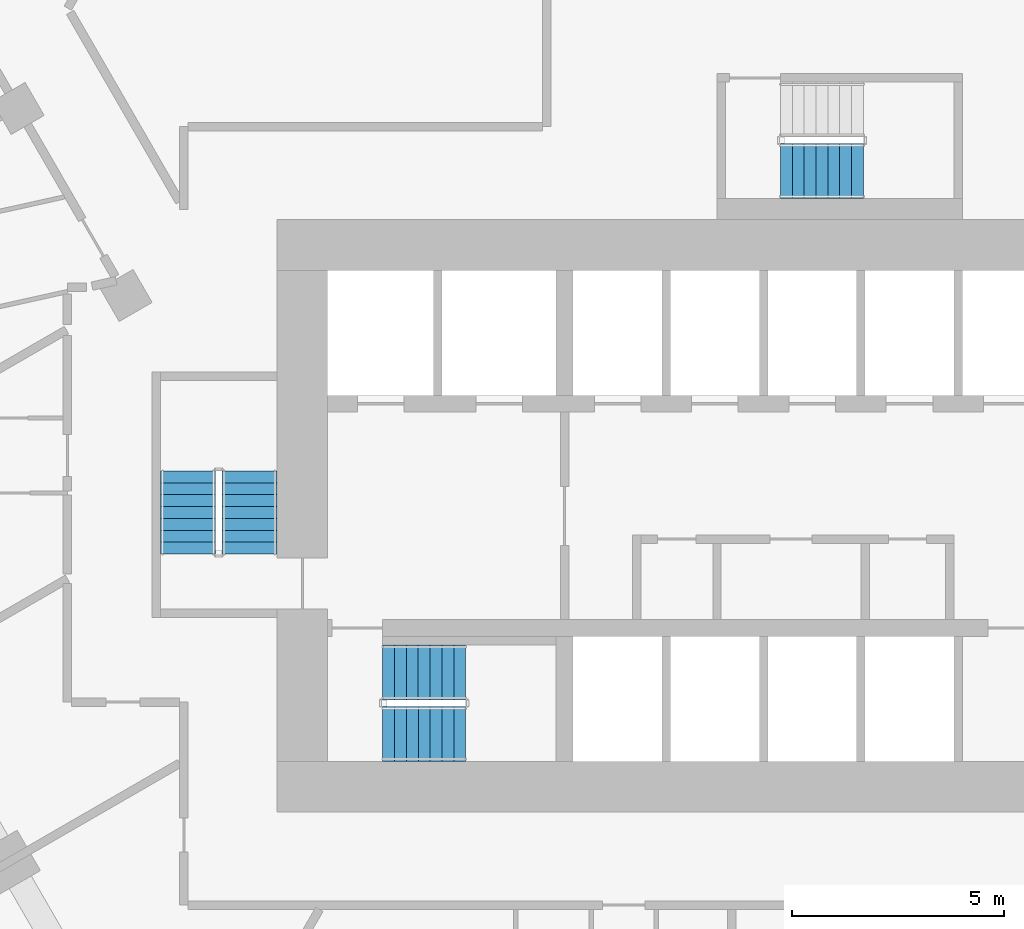
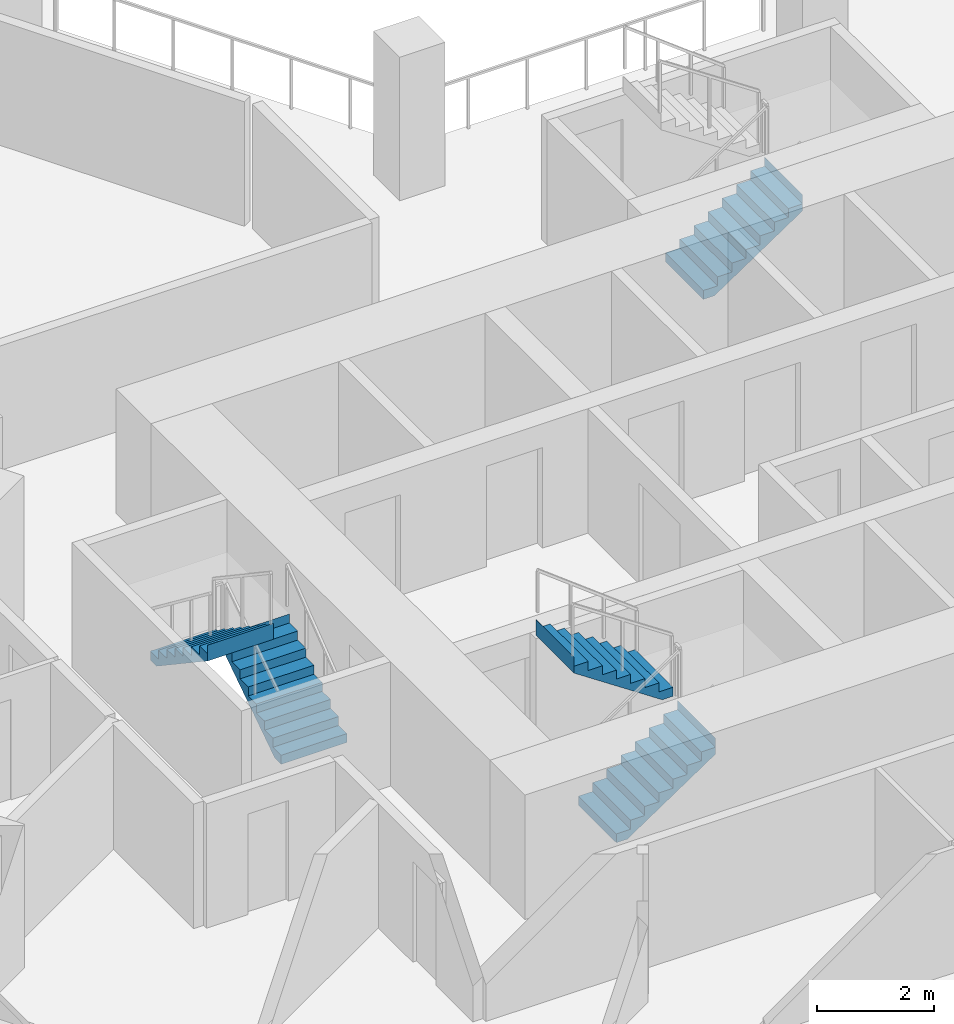
# One storey, part 16 of 21: 5 stair flights, 3 elements without a shape of their own.
"""IFC4 building model written with IfcOpenShell, lengths in metres."""

from ifc_helpers import new_model, si_unit, direction, frame, origin, place, context, subcontext, project, spatial, triangles, material, type_object, element, aggregate, save


model = new_model("IFC4")

# Units and contexts
model_context = context("Model", 3, precision=1e-05, world=origin(), true_north=direction((0.0, 1.0)))
body_context = subcontext(model_context, "Body", "Model", "MODEL_VIEW")
ifc_project = project(units=[si_unit("LENGTHUNIT", "METRE"), si_unit("AREAUNIT", "SQUARE_METRE"), si_unit("VOLUMEUNIT", "CUBIC_METRE"), si_unit("PLANEANGLEUNIT", "RADIAN"), si_unit("MASSUNIT", "GRAM", prefix="KILO")], contexts=[model_context])

# Site, building, storey
site_placement = place(None, origin())
site = spatial("IfcSite", under=ifc_project, at=site_placement, CompositionType="ELEMENT")
building_placement = place(site_placement, origin())
building = spatial("IfcBuilding", under=site, at=building_placement, Name="Beryl Residences", CompositionType="ELEMENT")
storey_placement = place(building_placement, frame((0.0, 0.0, 59.39990234375)))
storey = spatial("IfcBuildingStorey", under=building, at=storey_placement, Name="L18", CompositionType="ELEMENT", Elevation=59.39990234375)

# Stair, stair flights
ifc_material_1 = material(Name="Concrete C40/50", Category="concrete")
stair_type = type_object("IfcStairType", Name="ST1 protected exit stair, half-turn, 1300 mm flights", PredefinedType="HALF_TURN_STAIR", material=ifc_material_1)
stair_1_placement = place(storey_placement, origin())
stair_1 = element("IfcStair", 1, at=stair_1_placement, inside=storey, type_object=stair_type, Name="L18 PROTECTED EXIT STAIR ST-1", PredefinedType="HALF_TURN_STAIR")
ifc_material_2 = material(Name="Concrete C40/50", Category="concrete")
stair_flight_type = type_object("IfcStairFlightType", Name="SF1 stair flight 1300 mm", PredefinedType="STRAIGHT", material=ifc_material_2)
stair_flight_1_placement = place(storey_placement, frame((-10.800048828125, -17.14990234375, 0.0), z_axis=(0.0, 0.0, 1.0), x_axis=(1.0, 0.0, 0.0)))
stair_flight_1 = element("IfcStairFlight", 2, at=stair_flight_1_placement, type_object=stair_flight_type, Name="ST-1 flight 1", NumberOfRisers=8, NumberOfTreads=7, PredefinedType="STRAIGHT", RiserHeight=0.1875, TreadLength=0.28, context=body_context, shape_type="Tessellation", body=[
    triangles([(0.0, -0.64990234375, 0.0), (0.0, -0.324951171875, 0.0), (0.0, 0.0, 0.0), (0.0, 0.324951171875, 0.0), (0.0, 0.64990234375, 0.0), (0.0, -0.64990234375, 0.1875), (0.0, -0.324951171875, 0.1875), (0.0, 0.0, 0.1875), (0.0, 0.324951171875, 0.1875), (0.0, 0.64990234375, 0.1875), (0.280029296875, -0.64990234375, 0.1875), (0.280029296875, -0.324951171875, 0.1875), (0.280029296875, 0.0, 0.1875), (0.280029296875, 0.324951171875, 0.1875), (0.280029296875, 0.64990234375, 0.1875), (0.280029296875, -0.64990234375, 0.375), (0.280029296875, -0.324951171875, 0.375), (0.280029296875, 0.0, 0.375), (0.280029296875, 0.324951171875, 0.375), (0.280029296875, 0.64990234375, 0.375), (0.56005859375, -0.64990234375, 0.375), (0.56005859375, -0.324951171875, 0.375), (0.56005859375, 0.0, 0.375), (0.56005859375, 0.324951171875, 0.375), (0.56005859375, 0.64990234375, 0.375), (0.56005859375, -0.64990234375, 0.5625), (0.56005859375, -0.324951171875, 0.5625), (0.56005859375, 0.0, 0.5625), (0.56005859375, 0.324951171875, 0.5625), (0.56005859375, 0.64990234375, 0.5625), (0.840087890625, -0.64990234375, 0.5625), (0.840087890625, -0.324951171875, 0.5625), (0.840087890625, 0.0, 0.5625), (0.840087890625, 0.324951171875, 0.5625), (0.840087890625, 0.64990234375, 0.5625), (0.840087890625, -0.64990234375, 0.75), (0.840087890625, -0.324951171875, 0.75), (0.840087890625, 0.0, 0.75), (0.840087890625, 0.324951171875, 0.75), (0.840087890625, 0.64990234375, 0.75), (1.1201171875, -0.64990234375, 0.75), (1.1201171875, -0.324951171875, 0.75), (1.1201171875, 0.0, 0.75), (1.1201171875, 0.324951171875, 0.75), (1.1201171875, 0.64990234375, 0.75), (1.1201171875, -0.64990234375, 0.9375), (1.1201171875, -0.324951171875, 0.9375), (1.1201171875, 0.0, 0.9375), (1.1201171875, 0.324951171875, 0.9375), (1.1201171875, 0.64990234375, 0.9375), (1.39990234375, -0.64990234375, 0.9375), (1.39990234375, -0.324951171875, 0.9375), (1.39990234375, 0.0, 0.9375), (1.39990234375, 0.324951171875, 0.9375), (1.39990234375, 0.64990234375, 0.9375), (1.39990234375, -0.64990234375, 1.125), (1.39990234375, -0.324951171875, 1.125), (1.39990234375, 0.0, 1.125), (1.39990234375, 0.324951171875, 1.125), (1.39990234375, 0.64990234375, 1.125), (1.679931640625, -0.64990234375, 1.125), (1.679931640625, -0.324951171875, 1.125), (1.679931640625, 0.0, 1.125), (1.679931640625, 0.324951171875, 1.125), (1.679931640625, 0.64990234375, 1.125), (1.679931640625, -0.64990234375, 1.3125), (1.679931640625, -0.324951171875, 1.3125), (1.679931640625, 0.0, 1.3125), (1.679931640625, 0.324951171875, 1.3125), (1.679931640625, 0.64990234375, 1.3125), (1.9599609375, -0.64990234375, 1.3125), (1.9599609375, -0.324951171875, 1.3125), (1.9599609375, 0.0, 1.3125), (1.9599609375, 0.324951171875, 1.3125), (1.9599609375, 0.64990234375, 1.3125), (1.9599609375, -0.64990234375, 1.5), (1.9599609375, -0.324951171875, 1.5), (1.9599609375, 0.0, 1.5), (1.9599609375, 0.324951171875, 1.5), (1.9599609375, 0.64990234375, 1.5), (1.9609375, -0.64990234375, 1.5), (1.9609375, -0.324951171875, 1.5), (1.9609375, 0.0, 1.5), (1.9609375, 0.324951171875, 1.5), (1.9609375, 0.64990234375, 1.5), (1.9609375, -0.64990234375, 1.16796875), (1.9609375, -0.324951171875, 1.16796875), (1.9609375, 0.0, 1.16796875), (1.9609375, 0.324951171875, 1.16796875), (1.9609375, 0.64990234375, 1.16796875), (0.216796875, -0.64990234375, 0.0), (0.216796875, -0.324951171875, 0.0), (0.216796875, 0.0, 0.0), (0.216796875, 0.324951171875, 0.0), (0.216796875, 0.64990234375, 0.0)], [[1, 6, 7], [1, 7, 2], [2, 7, 8], [2, 8, 3], [3, 8, 9], [3, 9, 4], [4, 9, 10], [4, 10, 5], [6, 11, 12], [6, 12, 7], [7, 12, 13], [7, 13, 8], [8, 13, 14], [8, 14, 9], [9, 14, 15], [9, 15, 10], [11, 16, 17], [11, 17, 12], [12, 17, 18], [12, 18, 13], [13, 18, 19], [13, 19, 14], [14, 19, 20], [14, 20, 15], [16, 21, 22], [16, 22, 17], [17, 22, 23], [17, 23, 18], [18, 23, 24], [18, 24, 19], [19, 24, 25], [19, 25, 20], [21, 26, 27], [21, 27, 22], [22, 27, 28], [22, 28, 23], [23, 28, 29], [23, 29, 24], [24, 29, 30], [24, 30, 25], [26, 31, 32], [26, 32, 27], [27, 32, 33], [27, 33, 28], [28, 33, 34], [28, 34, 29], [29, 34, 35], [29, 35, 30], [31, 36, 37], [31, 37, 32], [32, 37, 38], [32, 38, 33], [33, 38, 39], [33, 39, 34], [34, 39, 40], [34, 40, 35], [36, 41, 42], [36, 42, 37], [37, 42, 43], [37, 43, 38], [38, 43, 44], [38, 44, 39], [39, 44, 45], [39, 45, 40], [41, 46, 47], [41, 47, 42], [42, 47, 48], [42, 48, 43], [43, 48, 49], [43, 49, 44], [44, 49, 50], [44, 50, 45], [46, 51, 52], [46, 52, 47], [47, 52, 53], [47, 53, 48], [48, 53, 54], [48, 54, 49], [49, 54, 55], [49, 55, 50], [51, 56, 57], [51, 57, 52], [52, 57, 58], [52, 58, 53], [53, 58, 59], [53, 59, 54], [54, 59, 60], [54, 60, 55], [56, 61, 62], [56, 62, 57], [57, 62, 63], [57, 63, 58], [58, 63, 64], [58, 64, 59], [59, 64, 65], [59, 65, 60], [61, 66, 67], [61, 67, 62], [62, 67, 68], [62, 68, 63], [63, 68, 69], [63, 69, 64], [64, 69, 70], [64, 70, 65], [66, 71, 72], [66, 72, 67], [67, 72, 73], [67, 73, 68], [68, 73, 74], [68, 74, 69], [69, 74, 75], [69, 75, 70], [71, 76, 77], [71, 77, 72], [72, 77, 78], [72, 78, 73], [73, 78, 79], [73, 79, 74], [74, 79, 80], [74, 80, 75], [76, 81, 82], [76, 82, 77], [77, 82, 83], [77, 83, 78], [78, 83, 84], [78, 84, 79], [79, 84, 85], [79, 85, 80], [81, 86, 87], [81, 87, 82], [82, 87, 88], [82, 88, 83], [83, 88, 89], [83, 89, 84], [84, 89, 90], [84, 90, 85], [86, 91, 92], [86, 92, 87], [87, 92, 93], [87, 93, 88], [88, 93, 94], [88, 94, 89], [89, 94, 95], [89, 95, 90], [91, 1, 2], [91, 2, 92], [92, 2, 3], [92, 3, 93], [93, 3, 4], [93, 4, 94], [94, 4, 5], [94, 5, 95], [1, 91, 86], [5, 90, 95], [86, 81, 76], [90, 80, 85], [86, 76, 71], [90, 75, 80], [86, 71, 66], [90, 70, 75], [86, 66, 61], [90, 65, 70], [61, 56, 51], [65, 55, 60], [86, 61, 51], [90, 55, 65], [51, 46, 41], [55, 45, 50], [86, 51, 41], [90, 45, 55], [41, 36, 31], [45, 35, 40], [86, 41, 31], [90, 35, 45], [31, 26, 21], [35, 25, 30], [86, 31, 21], [90, 25, 35], [21, 16, 11], [25, 15, 20], [86, 21, 11], [90, 15, 25], [1, 86, 11], [5, 15, 90], [11, 6, 1], [15, 5, 10]], closed=True),
])
stair_flight_2_placement = place(storey_placement, frame((-8.840087890625, -15.699951171875, 1.5), z_axis=(0.0, 0.0, 1.0), x_axis=(-1.0, 0.0, 0.0)))
stair_flight_2 = element("IfcStairFlight", 3, at=stair_flight_2_placement, type_object=stair_flight_type, Name="ST-1 flight 2", NumberOfRisers=8, NumberOfTreads=7, PredefinedType="STRAIGHT", RiserHeight=0.1875, TreadLength=0.28, context=body_context, shape_type="Tessellation", body=[
    triangles([(0.0, -0.64990234375, 0.0), (0.0, -0.324951171875, 0.0), (0.0, 0.0, 0.0), (0.0, 0.324951171875, 0.0), (0.0, 0.64990234375, 0.0), (0.0, -0.64990234375, 0.1875), (0.0, -0.324951171875, 0.1875), (0.0, 0.0, 0.1875), (0.0, 0.324951171875, 0.1875), (0.0, 0.64990234375, 0.1875), (0.280029296875, -0.64990234375, 0.1875), (0.280029296875, -0.324951171875, 0.1875), (0.280029296875, 0.0, 0.1875), (0.280029296875, 0.324951171875, 0.1875), (0.280029296875, 0.64990234375, 0.1875), (0.280029296875, -0.64990234375, 0.375), (0.280029296875, -0.324951171875, 0.375), (0.280029296875, 0.0, 0.375), (0.280029296875, 0.324951171875, 0.375), (0.280029296875, 0.64990234375, 0.375), (0.56005859375, -0.64990234375, 0.375), (0.56005859375, -0.324951171875, 0.375), (0.56005859375, 0.0, 0.375), (0.56005859375, 0.324951171875, 0.375), (0.56005859375, 0.64990234375, 0.375), (0.56005859375, -0.64990234375, 0.5625), (0.56005859375, -0.324951171875, 0.5625), (0.56005859375, 0.0, 0.5625), (0.56005859375, 0.324951171875, 0.5625), (0.56005859375, 0.64990234375, 0.5625), (0.840087890625, -0.64990234375, 0.5625), (0.840087890625, -0.324951171875, 0.5625), (0.840087890625, 0.0, 0.5625), (0.840087890625, 0.324951171875, 0.5625), (0.840087890625, 0.64990234375, 0.5625), (0.840087890625, -0.64990234375, 0.75), (0.840087890625, -0.324951171875, 0.75), (0.840087890625, 0.0, 0.75), (0.840087890625, 0.324951171875, 0.75), (0.840087890625, 0.64990234375, 0.75), (1.1201171875, -0.64990234375, 0.75), (1.1201171875, -0.324951171875, 0.75), (1.1201171875, 0.0, 0.75), (1.1201171875, 0.324951171875, 0.75), (1.1201171875, 0.64990234375, 0.75), (1.1201171875, -0.64990234375, 0.9375), (1.1201171875, -0.324951171875, 0.9375), (1.1201171875, 0.0, 0.9375), (1.1201171875, 0.324951171875, 0.9375), (1.1201171875, 0.64990234375, 0.9375), (1.39990234375, -0.64990234375, 0.9375), (1.39990234375, -0.324951171875, 0.9375), (1.39990234375, 0.0, 0.9375), (1.39990234375, 0.324951171875, 0.9375), (1.39990234375, 0.64990234375, 0.9375), (1.39990234375, -0.64990234375, 1.125), (1.39990234375, -0.324951171875, 1.125), (1.39990234375, 0.0, 1.125), (1.39990234375, 0.324951171875, 1.125), (1.39990234375, 0.64990234375, 1.125), (1.679931640625, -0.64990234375, 1.125), (1.679931640625, -0.324951171875, 1.125), (1.679931640625, 0.0, 1.125), (1.679931640625, 0.324951171875, 1.125), (1.679931640625, 0.64990234375, 1.125), (1.679931640625, -0.64990234375, 1.3125), (1.679931640625, -0.324951171875, 1.3125), (1.679931640625, 0.0, 1.3125), (1.679931640625, 0.324951171875, 1.3125), (1.679931640625, 0.64990234375, 1.3125), (1.9599609375, -0.64990234375, 1.3125), (1.9599609375, -0.324951171875, 1.3125), (1.9599609375, 0.0, 1.3125), (1.9599609375, 0.324951171875, 1.3125), (1.9599609375, 0.64990234375, 1.3125), (1.9599609375, -0.64990234375, 1.5), (1.9599609375, -0.324951171875, 1.5), (1.9599609375, 0.0, 1.5), (1.9599609375, 0.324951171875, 1.5), (1.9599609375, 0.64990234375, 1.5), (1.9609375, -0.64990234375, 1.5), (1.9609375, -0.324951171875, 1.5), (1.9609375, 0.0, 1.5), (1.9609375, 0.324951171875, 1.5), (1.9609375, 0.64990234375, 1.5), (1.9609375, -0.64990234375, 1.16796875), (1.9609375, -0.324951171875, 1.16796875), (1.9609375, 0.0, 1.16796875), (1.9609375, 0.324951171875, 1.16796875), (1.9609375, 0.64990234375, 1.16796875), (0.216796875, -0.64990234375, 0.0), (0.216796875, -0.324951171875, 0.0), (0.216796875, 0.0, 0.0), (0.216796875, 0.324951171875, 0.0), (0.216796875, 0.64990234375, 0.0)], [[1, 6, 7], [1, 7, 2], [2, 7, 8], [2, 8, 3], [3, 8, 9], [3, 9, 4], [4, 9, 10], [4, 10, 5], [6, 11, 12], [6, 12, 7], [7, 12, 13], [7, 13, 8], [8, 13, 14], [8, 14, 9], [9, 14, 15], [9, 15, 10], [11, 16, 17], [11, 17, 12], [12, 17, 18], [12, 18, 13], [13, 18, 19], [13, 19, 14], [14, 19, 20], [14, 20, 15], [16, 21, 22], [16, 22, 17], [17, 22, 23], [17, 23, 18], [18, 23, 24], [18, 24, 19], [19, 24, 25], [19, 25, 20], [21, 26, 27], [21, 27, 22], [22, 27, 28], [22, 28, 23], [23, 28, 29], [23, 29, 24], [24, 29, 30], [24, 30, 25], [26, 31, 32], [26, 32, 27], [27, 32, 33], [27, 33, 28], [28, 33, 34], [28, 34, 29], [29, 34, 35], [29, 35, 30], [31, 36, 37], [31, 37, 32], [32, 37, 38], [32, 38, 33], [33, 38, 39], [33, 39, 34], [34, 39, 40], [34, 40, 35], [36, 41, 42], [36, 42, 37], [37, 42, 43], [37, 43, 38], [38, 43, 44], [38, 44, 39], [39, 44, 45], [39, 45, 40], [41, 46, 47], [41, 47, 42], [42, 47, 48], [42, 48, 43], [43, 48, 49], [43, 49, 44], [44, 49, 50], [44, 50, 45], [46, 51, 52], [46, 52, 47], [47, 52, 53], [47, 53, 48], [48, 53, 54], [48, 54, 49], [49, 54, 55], [49, 55, 50], [51, 56, 57], [51, 57, 52], [52, 57, 58], [52, 58, 53], [53, 58, 59], [53, 59, 54], [54, 59, 60], [54, 60, 55], [56, 61, 62], [56, 62, 57], [57, 62, 63], [57, 63, 58], [58, 63, 64], [58, 64, 59], [59, 64, 65], [59, 65, 60], [61, 66, 67], [61, 67, 62], [62, 67, 68], [62, 68, 63], [63, 68, 69], [63, 69, 64], [64, 69, 70], [64, 70, 65], [66, 71, 72], [66, 72, 67], [67, 72, 73], [67, 73, 68], [68, 73, 74], [68, 74, 69], [69, 74, 75], [69, 75, 70], [71, 76, 77], [71, 77, 72], [72, 77, 78], [72, 78, 73], [73, 78, 79], [73, 79, 74], [74, 79, 80], [74, 80, 75], [76, 81, 82], [76, 82, 77], [77, 82, 83], [77, 83, 78], [78, 83, 84], [78, 84, 79], [79, 84, 85], [79, 85, 80], [81, 86, 87], [81, 87, 82], [82, 87, 88], [82, 88, 83], [83, 88, 89], [83, 89, 84], [84, 89, 90], [84, 90, 85], [86, 91, 92], [86, 92, 87], [87, 92, 93], [87, 93, 88], [88, 93, 94], [88, 94, 89], [89, 94, 95], [89, 95, 90], [91, 1, 2], [91, 2, 92], [92, 2, 3], [92, 3, 93], [93, 3, 4], [93, 4, 94], [94, 4, 5], [94, 5, 95], [1, 91, 86], [5, 90, 95], [86, 81, 76], [90, 80, 85], [86, 76, 71], [90, 75, 80], [86, 71, 66], [90, 70, 75], [86, 66, 61], [90, 65, 70], [61, 56, 51], [65, 55, 60], [86, 61, 51], [90, 55, 65], [51, 46, 41], [55, 45, 50], [86, 51, 41], [90, 45, 55], [41, 36, 31], [45, 35, 40], [86, 41, 31], [90, 35, 45], [31, 26, 21], [35, 25, 30], [86, 31, 21], [90, 25, 35], [21, 16, 11], [25, 15, 20], [86, 21, 11], [90, 15, 25], [1, 86, 11], [5, 15, 90], [11, 6, 1], [15, 5, 10]], closed=True),
])
aggregate(stair_1, [stair_flight_1, stair_flight_2])

stair_2_placement = place(storey_placement, origin())
stair_2 = element("IfcStair", 4, at=stair_2_placement, inside=storey, type_object=stair_type, Name="L18 PROTECTED EXIT STAIR ST-2", PredefinedType="HALF_TURN_STAIR")
stair_flight_3_placement = place(storey_placement, frame((-13.949951171875, -12.89990234375, 0.0), z_axis=(0.0, 0.0, 1.0), x_axis=(0.0, 1.0, 0.0)))
stair_flight_3 = element("IfcStairFlight", 5, at=stair_flight_3_placement, type_object=stair_flight_type, Name="ST-2 flight 1", NumberOfRisers=8, NumberOfTreads=7, PredefinedType="STRAIGHT", RiserHeight=0.1875, TreadLength=0.28, context=body_context, shape_type="Tessellation", body=[
    triangles([(0.0, -0.64990234375, 0.0), (0.0, -0.324951171875, 0.0), (0.0, 0.0, 0.0), (0.0, 0.324951171875, 0.0), (0.0, 0.64990234375, 0.0), (0.0, -0.64990234375, 0.1875), (0.0, -0.324951171875, 0.1875), (0.0, 0.0, 0.1875), (0.0, 0.324951171875, 0.1875), (0.0, 0.64990234375, 0.1875), (0.280029296875, -0.64990234375, 0.1875), (0.280029296875, -0.324951171875, 0.1875), (0.280029296875, 0.0, 0.1875), (0.280029296875, 0.324951171875, 0.1875), (0.280029296875, 0.64990234375, 0.1875), (0.280029296875, -0.64990234375, 0.375), (0.280029296875, -0.324951171875, 0.375), (0.280029296875, 0.0, 0.375), (0.280029296875, 0.324951171875, 0.375), (0.280029296875, 0.64990234375, 0.375), (0.56005859375, -0.64990234375, 0.375), (0.56005859375, -0.324951171875, 0.375), (0.56005859375, 0.0, 0.375), (0.56005859375, 0.324951171875, 0.375), (0.56005859375, 0.64990234375, 0.375), (0.56005859375, -0.64990234375, 0.5625), (0.56005859375, -0.324951171875, 0.5625), (0.56005859375, 0.0, 0.5625), (0.56005859375, 0.324951171875, 0.5625), (0.56005859375, 0.64990234375, 0.5625), (0.840087890625, -0.64990234375, 0.5625), (0.840087890625, -0.324951171875, 0.5625), (0.840087890625, 0.0, 0.5625), (0.840087890625, 0.324951171875, 0.5625), (0.840087890625, 0.64990234375, 0.5625), (0.840087890625, -0.64990234375, 0.75), (0.840087890625, -0.324951171875, 0.75), (0.840087890625, 0.0, 0.75), (0.840087890625, 0.324951171875, 0.75), (0.840087890625, 0.64990234375, 0.75), (1.1201171875, -0.64990234375, 0.75), (1.1201171875, -0.324951171875, 0.75), (1.1201171875, 0.0, 0.75), (1.1201171875, 0.324951171875, 0.75), (1.1201171875, 0.64990234375, 0.75), (1.1201171875, -0.64990234375, 0.9375), (1.1201171875, -0.324951171875, 0.9375), (1.1201171875, 0.0, 0.9375), (1.1201171875, 0.324951171875, 0.9375), (1.1201171875, 0.64990234375, 0.9375), (1.39990234375, -0.64990234375, 0.9375), (1.39990234375, -0.324951171875, 0.9375), (1.39990234375, 0.0, 0.9375), (1.39990234375, 0.324951171875, 0.9375), (1.39990234375, 0.64990234375, 0.9375), (1.39990234375, -0.64990234375, 1.125), (1.39990234375, -0.324951171875, 1.125), (1.39990234375, 0.0, 1.125), (1.39990234375, 0.324951171875, 1.125), (1.39990234375, 0.64990234375, 1.125), (1.679931640625, -0.64990234375, 1.125), (1.679931640625, -0.324951171875, 1.125), (1.679931640625, 0.0, 1.125), (1.679931640625, 0.324951171875, 1.125), (1.679931640625, 0.64990234375, 1.125), (1.679931640625, -0.64990234375, 1.3125), (1.679931640625, -0.324951171875, 1.3125), (1.679931640625, 0.0, 1.3125), (1.679931640625, 0.324951171875, 1.3125), (1.679931640625, 0.64990234375, 1.3125), (1.9599609375, -0.64990234375, 1.3125), (1.9599609375, -0.324951171875, 1.3125), (1.9599609375, 0.0, 1.3125), (1.9599609375, 0.324951171875, 1.3125), (1.9599609375, 0.64990234375, 1.3125), (1.9599609375, -0.64990234375, 1.5), (1.9599609375, -0.324951171875, 1.5), (1.9599609375, 0.0, 1.5), (1.9599609375, 0.324951171875, 1.5), (1.9599609375, 0.64990234375, 1.5), (1.9609375, -0.64990234375, 1.5), (1.9609375, -0.324951171875, 1.5), (1.9609375, 0.0, 1.5), (1.9609375, 0.324951171875, 1.5), (1.9609375, 0.64990234375, 1.5), (1.9609375, -0.64990234375, 1.16796875), (1.9609375, -0.324951171875, 1.16796875), (1.9609375, 0.0, 1.16796875), (1.9609375, 0.324951171875, 1.16796875), (1.9609375, 0.64990234375, 1.16796875), (0.216796875, -0.64990234375, 0.0), (0.216796875, -0.324951171875, 0.0), (0.216796875, 0.0, 0.0), (0.216796875, 0.324951171875, 0.0), (0.216796875, 0.64990234375, 0.0)], [[1, 6, 7], [1, 7, 2], [2, 7, 8], [2, 8, 3], [3, 8, 9], [3, 9, 4], [4, 9, 10], [4, 10, 5], [6, 11, 12], [6, 12, 7], [7, 12, 13], [7, 13, 8], [8, 13, 14], [8, 14, 9], [9, 14, 15], [9, 15, 10], [11, 16, 17], [11, 17, 12], [12, 17, 18], [12, 18, 13], [13, 18, 19], [13, 19, 14], [14, 19, 20], [14, 20, 15], [16, 21, 22], [16, 22, 17], [17, 22, 23], [17, 23, 18], [18, 23, 24], [18, 24, 19], [19, 24, 25], [19, 25, 20], [21, 26, 27], [21, 27, 22], [22, 27, 28], [22, 28, 23], [23, 28, 29], [23, 29, 24], [24, 29, 30], [24, 30, 25], [26, 31, 32], [26, 32, 27], [27, 32, 33], [27, 33, 28], [28, 33, 34], [28, 34, 29], [29, 34, 35], [29, 35, 30], [31, 36, 37], [31, 37, 32], [32, 37, 38], [32, 38, 33], [33, 38, 39], [33, 39, 34], [34, 39, 40], [34, 40, 35], [36, 41, 42], [36, 42, 37], [37, 42, 43], [37, 43, 38], [38, 43, 44], [38, 44, 39], [39, 44, 45], [39, 45, 40], [41, 46, 47], [41, 47, 42], [42, 47, 48], [42, 48, 43], [43, 48, 49], [43, 49, 44], [44, 49, 50], [44, 50, 45], [46, 51, 52], [46, 52, 47], [47, 52, 53], [47, 53, 48], [48, 53, 54], [48, 54, 49], [49, 54, 55], [49, 55, 50], [51, 56, 57], [51, 57, 52], [52, 57, 58], [52, 58, 53], [53, 58, 59], [53, 59, 54], [54, 59, 60], [54, 60, 55], [56, 61, 62], [56, 62, 57], [57, 62, 63], [57, 63, 58], [58, 63, 64], [58, 64, 59], [59, 64, 65], [59, 65, 60], [61, 66, 67], [61, 67, 62], [62, 67, 68], [62, 68, 63], [63, 68, 69], [63, 69, 64], [64, 69, 70], [64, 70, 65], [66, 71, 72], [66, 72, 67], [67, 72, 73], [67, 73, 68], [68, 73, 74], [68, 74, 69], [69, 74, 75], [69, 75, 70], [71, 76, 77], [71, 77, 72], [72, 77, 78], [72, 78, 73], [73, 78, 79], [73, 79, 74], [74, 79, 80], [74, 80, 75], [76, 81, 82], [76, 82, 77], [77, 82, 83], [77, 83, 78], [78, 83, 84], [78, 84, 79], [79, 84, 85], [79, 85, 80], [81, 86, 87], [81, 87, 82], [82, 87, 88], [82, 88, 83], [83, 88, 89], [83, 89, 84], [84, 89, 90], [84, 90, 85], [86, 91, 92], [86, 92, 87], [87, 92, 93], [87, 93, 88], [88, 93, 94], [88, 94, 89], [89, 94, 95], [89, 95, 90], [91, 1, 2], [91, 2, 92], [92, 2, 3], [92, 3, 93], [93, 3, 4], [93, 4, 94], [94, 4, 5], [94, 5, 95], [1, 91, 86], [5, 90, 95], [86, 81, 76], [90, 80, 85], [86, 76, 71], [90, 75, 80], [86, 71, 66], [90, 70, 75], [86, 66, 61], [90, 65, 70], [61, 56, 51], [65, 55, 60], [86, 61, 51], [90, 55, 65], [51, 46, 41], [55, 45, 50], [86, 51, 41], [90, 45, 55], [41, 36, 31], [45, 35, 40], [86, 41, 31], [90, 35, 45], [31, 26, 21], [35, 25, 30], [86, 31, 21], [90, 25, 35], [21, 16, 11], [25, 15, 20], [86, 21, 11], [90, 15, 25], [1, 86, 11], [5, 15, 90], [11, 6, 1], [15, 5, 10]], closed=True),
])
stair_flight_4_placement = place(storey_placement, frame((-15.39990234375, -10.93994140625, 1.5), z_axis=(0.0, 0.0, 1.0), x_axis=(0.0, -1.0, 0.0)))
stair_flight_4 = element("IfcStairFlight", 6, at=stair_flight_4_placement, type_object=stair_flight_type, Name="ST-2 flight 2", NumberOfRisers=8, NumberOfTreads=7, PredefinedType="STRAIGHT", RiserHeight=0.1875, TreadLength=0.28, context=body_context, shape_type="Tessellation", body=[
    triangles([(0.0, -0.64990234375, 0.0), (0.0, -0.324951171875, 0.0), (0.0, 0.0, 0.0), (0.0, 0.324951171875, 0.0), (0.0, 0.64990234375, 0.0), (0.0, -0.64990234375, 0.1875), (0.0, -0.324951171875, 0.1875), (0.0, 0.0, 0.1875), (0.0, 0.324951171875, 0.1875), (0.0, 0.64990234375, 0.1875), (0.280029296875, -0.64990234375, 0.1875), (0.280029296875, -0.324951171875, 0.1875), (0.280029296875, 0.0, 0.1875), (0.280029296875, 0.324951171875, 0.1875), (0.280029296875, 0.64990234375, 0.1875), (0.280029296875, -0.64990234375, 0.375), (0.280029296875, -0.324951171875, 0.375), (0.280029296875, 0.0, 0.375), (0.280029296875, 0.324951171875, 0.375), (0.280029296875, 0.64990234375, 0.375), (0.56005859375, -0.64990234375, 0.375), (0.56005859375, -0.324951171875, 0.375), (0.56005859375, 0.0, 0.375), (0.56005859375, 0.324951171875, 0.375), (0.56005859375, 0.64990234375, 0.375), (0.56005859375, -0.64990234375, 0.5625), (0.56005859375, -0.324951171875, 0.5625), (0.56005859375, 0.0, 0.5625), (0.56005859375, 0.324951171875, 0.5625), (0.56005859375, 0.64990234375, 0.5625), (0.840087890625, -0.64990234375, 0.5625), (0.840087890625, -0.324951171875, 0.5625), (0.840087890625, 0.0, 0.5625), (0.840087890625, 0.324951171875, 0.5625), (0.840087890625, 0.64990234375, 0.5625), (0.840087890625, -0.64990234375, 0.75), (0.840087890625, -0.324951171875, 0.75), (0.840087890625, 0.0, 0.75), (0.840087890625, 0.324951171875, 0.75), (0.840087890625, 0.64990234375, 0.75), (1.1201171875, -0.64990234375, 0.75), (1.1201171875, -0.324951171875, 0.75), (1.1201171875, 0.0, 0.75), (1.1201171875, 0.324951171875, 0.75), (1.1201171875, 0.64990234375, 0.75), (1.1201171875, -0.64990234375, 0.9375), (1.1201171875, -0.324951171875, 0.9375), (1.1201171875, 0.0, 0.9375), (1.1201171875, 0.324951171875, 0.9375), (1.1201171875, 0.64990234375, 0.9375), (1.39990234375, -0.64990234375, 0.9375), (1.39990234375, -0.324951171875, 0.9375), (1.39990234375, 0.0, 0.9375), (1.39990234375, 0.324951171875, 0.9375), (1.39990234375, 0.64990234375, 0.9375), (1.39990234375, -0.64990234375, 1.125), (1.39990234375, -0.324951171875, 1.125), (1.39990234375, 0.0, 1.125), (1.39990234375, 0.324951171875, 1.125), (1.39990234375, 0.64990234375, 1.125), (1.679931640625, -0.64990234375, 1.125), (1.679931640625, -0.324951171875, 1.125), (1.679931640625, 0.0, 1.125), (1.679931640625, 0.324951171875, 1.125), (1.679931640625, 0.64990234375, 1.125), (1.679931640625, -0.64990234375, 1.3125), (1.679931640625, -0.324951171875, 1.3125), (1.679931640625, 0.0, 1.3125), (1.679931640625, 0.324951171875, 1.3125), (1.679931640625, 0.64990234375, 1.3125), (1.9599609375, -0.64990234375, 1.3125), (1.9599609375, -0.324951171875, 1.3125), (1.9599609375, 0.0, 1.3125), (1.9599609375, 0.324951171875, 1.3125), (1.9599609375, 0.64990234375, 1.3125), (1.9599609375, -0.64990234375, 1.5), (1.9599609375, -0.324951171875, 1.5), (1.9599609375, 0.0, 1.5), (1.9599609375, 0.324951171875, 1.5), (1.9599609375, 0.64990234375, 1.5), (1.9609375, -0.64990234375, 1.5), (1.9609375, -0.324951171875, 1.5), (1.9609375, 0.0, 1.5), (1.9609375, 0.324951171875, 1.5), (1.9609375, 0.64990234375, 1.5), (1.9609375, -0.64990234375, 1.16796875), (1.9609375, -0.324951171875, 1.16796875), (1.9609375, 0.0, 1.16796875), (1.9609375, 0.324951171875, 1.16796875), (1.9609375, 0.64990234375, 1.16796875), (0.216796875, -0.64990234375, 0.0), (0.216796875, -0.324951171875, 0.0), (0.216796875, 0.0, 0.0), (0.216796875, 0.324951171875, 0.0), (0.216796875, 0.64990234375, 0.0)], [[1, 6, 7], [1, 7, 2], [2, 7, 8], [2, 8, 3], [3, 8, 9], [3, 9, 4], [4, 9, 10], [4, 10, 5], [6, 11, 12], [6, 12, 7], [7, 12, 13], [7, 13, 8], [8, 13, 14], [8, 14, 9], [9, 14, 15], [9, 15, 10], [11, 16, 17], [11, 17, 12], [12, 17, 18], [12, 18, 13], [13, 18, 19], [13, 19, 14], [14, 19, 20], [14, 20, 15], [16, 21, 22], [16, 22, 17], [17, 22, 23], [17, 23, 18], [18, 23, 24], [18, 24, 19], [19, 24, 25], [19, 25, 20], [21, 26, 27], [21, 27, 22], [22, 27, 28], [22, 28, 23], [23, 28, 29], [23, 29, 24], [24, 29, 30], [24, 30, 25], [26, 31, 32], [26, 32, 27], [27, 32, 33], [27, 33, 28], [28, 33, 34], [28, 34, 29], [29, 34, 35], [29, 35, 30], [31, 36, 37], [31, 37, 32], [32, 37, 38], [32, 38, 33], [33, 38, 39], [33, 39, 34], [34, 39, 40], [34, 40, 35], [36, 41, 42], [36, 42, 37], [37, 42, 43], [37, 43, 38], [38, 43, 44], [38, 44, 39], [39, 44, 45], [39, 45, 40], [41, 46, 47], [41, 47, 42], [42, 47, 48], [42, 48, 43], [43, 48, 49], [43, 49, 44], [44, 49, 50], [44, 50, 45], [46, 51, 52], [46, 52, 47], [47, 52, 53], [47, 53, 48], [48, 53, 54], [48, 54, 49], [49, 54, 55], [49, 55, 50], [51, 56, 57], [51, 57, 52], [52, 57, 58], [52, 58, 53], [53, 58, 59], [53, 59, 54], [54, 59, 60], [54, 60, 55], [56, 61, 62], [56, 62, 57], [57, 62, 63], [57, 63, 58], [58, 63, 64], [58, 64, 59], [59, 64, 65], [59, 65, 60], [61, 66, 67], [61, 67, 62], [62, 67, 68], [62, 68, 63], [63, 68, 69], [63, 69, 64], [64, 69, 70], [64, 70, 65], [66, 71, 72], [66, 72, 67], [67, 72, 73], [67, 73, 68], [68, 73, 74], [68, 74, 69], [69, 74, 75], [69, 75, 70], [71, 76, 77], [71, 77, 72], [72, 77, 78], [72, 78, 73], [73, 78, 79], [73, 79, 74], [74, 79, 80], [74, 80, 75], [76, 81, 82], [76, 82, 77], [77, 82, 83], [77, 83, 78], [78, 83, 84], [78, 84, 79], [79, 84, 85], [79, 85, 80], [81, 86, 87], [81, 87, 82], [82, 87, 88], [82, 88, 83], [83, 88, 89], [83, 89, 84], [84, 89, 90], [84, 90, 85], [86, 91, 92], [86, 92, 87], [87, 92, 93], [87, 93, 88], [88, 93, 94], [88, 94, 89], [89, 94, 95], [89, 95, 90], [91, 1, 2], [91, 2, 92], [92, 2, 3], [92, 3, 93], [93, 3, 4], [93, 4, 94], [94, 4, 5], [94, 5, 95], [1, 91, 86], [5, 90, 95], [86, 81, 76], [90, 80, 85], [86, 76, 71], [90, 75, 80], [86, 71, 66], [90, 70, 75], [86, 66, 61], [90, 65, 70], [61, 56, 51], [65, 55, 60], [86, 61, 51], [90, 55, 65], [51, 46, 41], [55, 45, 50], [86, 51, 41], [90, 45, 55], [41, 36, 31], [45, 35, 40], [86, 41, 31], [90, 35, 45], [31, 26, 21], [35, 25, 30], [86, 31, 21], [90, 25, 35], [21, 16, 11], [25, 15, 20], [86, 21, 11], [90, 15, 25], [1, 86, 11], [5, 15, 90], [11, 6, 1], [15, 5, 10]], closed=True),
])
aggregate(stair_2, [stair_flight_3, stair_flight_4])

# Stair, stair flight
stair_3_placement = place(storey_placement, origin())
stair_3 = element("IfcStair", 7, at=stair_3_placement, inside=storey, type_object=stair_type, Name="L18 PROTECTED EXIT STAIR ST-4", PredefinedType="HALF_TURN_STAIR")
stair_flight_5_placement = place(storey_placement, frame((-1.39990234375, -3.85009765625, 0.0), z_axis=(0.0, 0.0, 1.0), x_axis=(1.0, 0.0, 0.0)))
stair_flight_5 = element("IfcStairFlight", 8, at=stair_flight_5_placement, type_object=stair_flight_type, Name="ST-4 flight 1", NumberOfRisers=8, NumberOfTreads=7, PredefinedType="STRAIGHT", RiserHeight=0.1875, TreadLength=0.28, context=body_context, shape_type="Tessellation", body=[
    triangles([(0.0, -0.64990234375, 0.0), (0.0, -0.324951171875, 0.0), (0.0, 0.0, 0.0), (0.0, 0.324951171875, 0.0), (0.0, 0.64990234375, 0.0), (0.0, -0.64990234375, 0.1875), (0.0, -0.324951171875, 0.1875), (0.0, 0.0, 0.1875), (0.0, 0.324951171875, 0.1875), (0.0, 0.64990234375, 0.1875), (0.280029296875, -0.64990234375, 0.1875), (0.280029296875, -0.324951171875, 0.1875), (0.280029296875, 0.0, 0.1875), (0.280029296875, 0.324951171875, 0.1875), (0.280029296875, 0.64990234375, 0.1875), (0.280029296875, -0.64990234375, 0.375), (0.280029296875, -0.324951171875, 0.375), (0.280029296875, 0.0, 0.375), (0.280029296875, 0.324951171875, 0.375), (0.280029296875, 0.64990234375, 0.375), (0.56005859375, -0.64990234375, 0.375), (0.56005859375, -0.324951171875, 0.375), (0.56005859375, 0.0, 0.375), (0.56005859375, 0.324951171875, 0.375), (0.56005859375, 0.64990234375, 0.375), (0.56005859375, -0.64990234375, 0.5625), (0.56005859375, -0.324951171875, 0.5625), (0.56005859375, 0.0, 0.5625), (0.56005859375, 0.324951171875, 0.5625), (0.56005859375, 0.64990234375, 0.5625), (0.840087890625, -0.64990234375, 0.5625), (0.840087890625, -0.324951171875, 0.5625), (0.840087890625, 0.0, 0.5625), (0.840087890625, 0.324951171875, 0.5625), (0.840087890625, 0.64990234375, 0.5625), (0.840087890625, -0.64990234375, 0.75), (0.840087890625, -0.324951171875, 0.75), (0.840087890625, 0.0, 0.75), (0.840087890625, 0.324951171875, 0.75), (0.840087890625, 0.64990234375, 0.75), (1.1201171875, -0.64990234375, 0.75), (1.1201171875, -0.324951171875, 0.75), (1.1201171875, 0.0, 0.75), (1.1201171875, 0.324951171875, 0.75), (1.1201171875, 0.64990234375, 0.75), (1.1201171875, -0.64990234375, 0.9375), (1.1201171875, -0.324951171875, 0.9375), (1.1201171875, 0.0, 0.9375), (1.1201171875, 0.324951171875, 0.9375), (1.1201171875, 0.64990234375, 0.9375), (1.39990234375, -0.64990234375, 0.9375), (1.39990234375, -0.324951171875, 0.9375), (1.39990234375, 0.0, 0.9375), (1.39990234375, 0.324951171875, 0.9375), (1.39990234375, 0.64990234375, 0.9375), (1.39990234375, -0.64990234375, 1.125), (1.39990234375, -0.324951171875, 1.125), (1.39990234375, 0.0, 1.125), (1.39990234375, 0.324951171875, 1.125), (1.39990234375, 0.64990234375, 1.125), (1.679931640625, -0.64990234375, 1.125), (1.679931640625, -0.324951171875, 1.125), (1.679931640625, 0.0, 1.125), (1.679931640625, 0.324951171875, 1.125), (1.679931640625, 0.64990234375, 1.125), (1.679931640625, -0.64990234375, 1.3125), (1.679931640625, -0.324951171875, 1.3125), (1.679931640625, 0.0, 1.3125), (1.679931640625, 0.324951171875, 1.3125), (1.679931640625, 0.64990234375, 1.3125), (1.9599609375, -0.64990234375, 1.3125), (1.9599609375, -0.324951171875, 1.3125), (1.9599609375, 0.0, 1.3125), (1.9599609375, 0.324951171875, 1.3125), (1.9599609375, 0.64990234375, 1.3125), (1.9599609375, -0.64990234375, 1.5), (1.9599609375, -0.324951171875, 1.5), (1.9599609375, 0.0, 1.5), (1.9599609375, 0.324951171875, 1.5), (1.9599609375, 0.64990234375, 1.5), (1.9609375, -0.64990234375, 1.5), (1.9609375, -0.324951171875, 1.5), (1.9609375, 0.0, 1.5), (1.9609375, 0.324951171875, 1.5), (1.9609375, 0.64990234375, 1.5), (1.9609375, -0.64990234375, 1.16796875), (1.9609375, -0.324951171875, 1.16796875), (1.9609375, 0.0, 1.16796875), (1.9609375, 0.324951171875, 1.16796875), (1.9609375, 0.64990234375, 1.16796875), (0.216796875, -0.64990234375, 0.0), (0.216796875, -0.324951171875, 0.0), (0.216796875, 0.0, 0.0), (0.216796875, 0.324951171875, 0.0), (0.216796875, 0.64990234375, 0.0)], [[1, 6, 7], [1, 7, 2], [2, 7, 8], [2, 8, 3], [3, 8, 9], [3, 9, 4], [4, 9, 10], [4, 10, 5], [6, 11, 12], [6, 12, 7], [7, 12, 13], [7, 13, 8], [8, 13, 14], [8, 14, 9], [9, 14, 15], [9, 15, 10], [11, 16, 17], [11, 17, 12], [12, 17, 18], [12, 18, 13], [13, 18, 19], [13, 19, 14], [14, 19, 20], [14, 20, 15], [16, 21, 22], [16, 22, 17], [17, 22, 23], [17, 23, 18], [18, 23, 24], [18, 24, 19], [19, 24, 25], [19, 25, 20], [21, 26, 27], [21, 27, 22], [22, 27, 28], [22, 28, 23], [23, 28, 29], [23, 29, 24], [24, 29, 30], [24, 30, 25], [26, 31, 32], [26, 32, 27], [27, 32, 33], [27, 33, 28], [28, 33, 34], [28, 34, 29], [29, 34, 35], [29, 35, 30], [31, 36, 37], [31, 37, 32], [32, 37, 38], [32, 38, 33], [33, 38, 39], [33, 39, 34], [34, 39, 40], [34, 40, 35], [36, 41, 42], [36, 42, 37], [37, 42, 43], [37, 43, 38], [38, 43, 44], [38, 44, 39], [39, 44, 45], [39, 45, 40], [41, 46, 47], [41, 47, 42], [42, 47, 48], [42, 48, 43], [43, 48, 49], [43, 49, 44], [44, 49, 50], [44, 50, 45], [46, 51, 52], [46, 52, 47], [47, 52, 53], [47, 53, 48], [48, 53, 54], [48, 54, 49], [49, 54, 55], [49, 55, 50], [51, 56, 57], [51, 57, 52], [52, 57, 58], [52, 58, 53], [53, 58, 59], [53, 59, 54], [54, 59, 60], [54, 60, 55], [56, 61, 62], [56, 62, 57], [57, 62, 63], [57, 63, 58], [58, 63, 64], [58, 64, 59], [59, 64, 65], [59, 65, 60], [61, 66, 67], [61, 67, 62], [62, 67, 68], [62, 68, 63], [63, 68, 69], [63, 69, 64], [64, 69, 70], [64, 70, 65], [66, 71, 72], [66, 72, 67], [67, 72, 73], [67, 73, 68], [68, 73, 74], [68, 74, 69], [69, 74, 75], [69, 75, 70], [71, 76, 77], [71, 77, 72], [72, 77, 78], [72, 78, 73], [73, 78, 79], [73, 79, 74], [74, 79, 80], [74, 80, 75], [76, 81, 82], [76, 82, 77], [77, 82, 83], [77, 83, 78], [78, 83, 84], [78, 84, 79], [79, 84, 85], [79, 85, 80], [81, 86, 87], [81, 87, 82], [82, 87, 88], [82, 88, 83], [83, 88, 89], [83, 89, 84], [84, 89, 90], [84, 90, 85], [86, 91, 92], [86, 92, 87], [87, 92, 93], [87, 93, 88], [88, 93, 94], [88, 94, 89], [89, 94, 95], [89, 95, 90], [91, 1, 2], [91, 2, 92], [92, 2, 3], [92, 3, 93], [93, 3, 4], [93, 4, 94], [94, 4, 5], [94, 5, 95], [1, 91, 86], [5, 90, 95], [86, 81, 76], [90, 80, 85], [86, 76, 71], [90, 75, 80], [86, 71, 66], [90, 70, 75], [86, 66, 61], [90, 65, 70], [61, 56, 51], [65, 55, 60], [86, 61, 51], [90, 55, 65], [51, 46, 41], [55, 45, 50], [86, 51, 41], [90, 45, 55], [41, 36, 31], [45, 35, 40], [86, 41, 31], [90, 35, 45], [31, 26, 21], [35, 25, 30], [86, 31, 21], [90, 25, 35], [21, 16, 11], [25, 15, 20], [86, 21, 11], [90, 15, 25], [1, 86, 11], [5, 15, 90], [11, 6, 1], [15, 5, 10]], closed=True),
])
aggregate(stair_3, [stair_flight_5])

save(model, "model.ifc")
